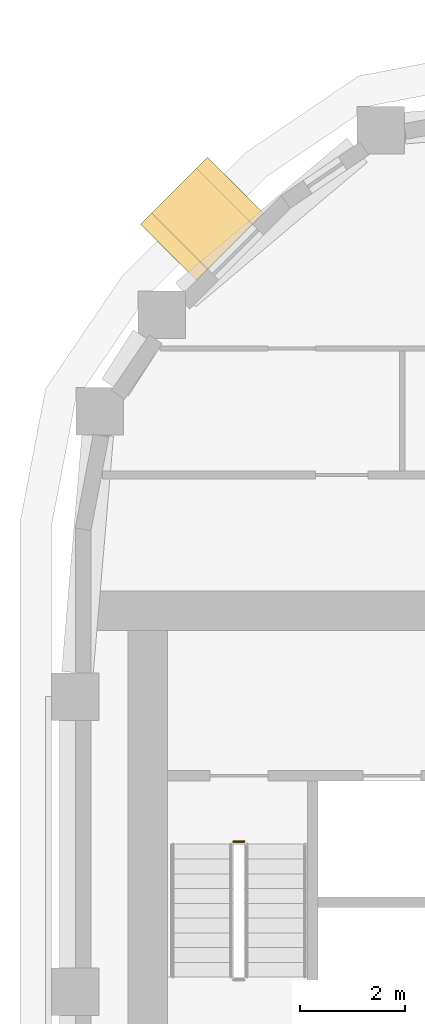
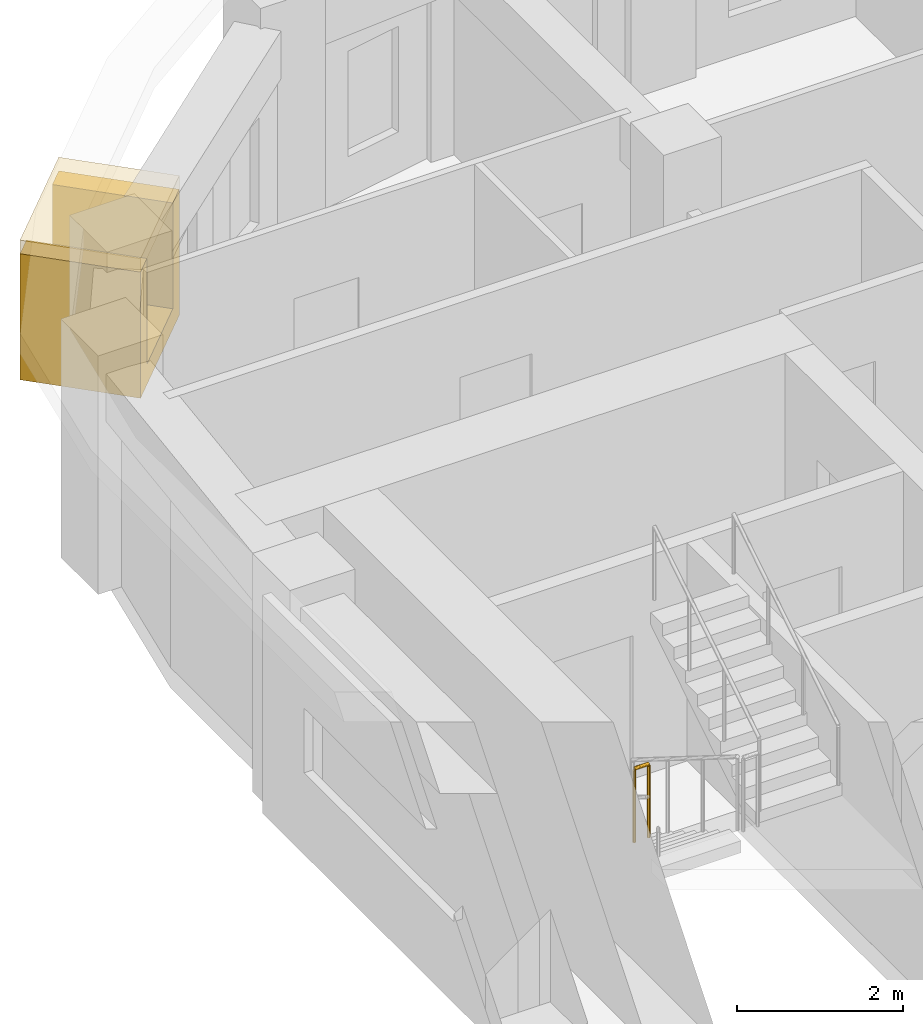
# One storey, part 19 of 21: 2 coverings, 1 railing.
"""IFC4 building model written with IfcOpenShell, lengths in metres."""

from ifc_helpers import new_model, si_unit, direction, frame, origin, origin_2d, place, context, subcontext, project, spatial, polyline, rectangle, circle, outline, extrude, material, layer, layer_set, type_object, element, save


model = new_model("IFC4")

# Units and contexts
model_context = context("Model", 3, precision=1e-05, world=origin(), true_north=direction((0.0, 1.0)))
body_context = subcontext(model_context, "Body", "Model", "MODEL_VIEW")
ifc_project = project(units=[si_unit("LENGTHUNIT", "METRE"), si_unit("AREAUNIT", "SQUARE_METRE"), si_unit("VOLUMEUNIT", "CUBIC_METRE"), si_unit("PLANEANGLEUNIT", "RADIAN"), si_unit("MASSUNIT", "GRAM", prefix="KILO")], contexts=[model_context])

# Site, building, storey
site_placement = place(None, origin())
site = spatial("IfcSite", under=ifc_project, at=site_placement, CompositionType="ELEMENT")
building_placement = place(site_placement, origin())
building = spatial("IfcBuilding", under=site, at=building_placement, Name="Kiln Ring Residences", CompositionType="ELEMENT")
storey_placement = place(building_placement, frame((0.0, 0.0, 192.39990234375)))
storey = spatial("IfcBuildingStorey", under=building, at=storey_placement, Name="L49", CompositionType="ELEMENT", Elevation=192.39990234375)

# Railing
ifc_material_1 = material(Name="Stainless steel", Category="steel")
railing_type = type_object("IfcRailingType", Name="CORE-STAIR-GUARD", PredefinedType="GUARDRAIL", material=ifc_material_1)
railing_placement = place(storey_placement, frame((-22.199951171875, 8.449951171875, 0.0)))
element("IfcRailing", 1, at=railing_placement, inside=storey, type_object=railing_type, Name="L49 W-STN stair guard 4", PredefinedType="GUARDRAIL", context=body_context, shape_type="SweptSolid", body=[
    extrude(circle(Radius=0.02392578125, at=origin_2d()), frame((0.0, 0.0, 1.076171875), z_axis=(1.0, 0.0, 0.0), x_axis=(0.0, 1.0, 0.0)), (0.0, 0.0, 1.0), 0.199951171875),
    extrude(circle(Radius=0.02099609375, at=origin_2d()), origin(), (0.0, 0.0, 1.0), 1.052001953125),
    extrude(circle(Radius=0.02099609375, at=origin_2d()), frame((0.199951171875, 0.0, 0.0)), (0.0, 0.0, 1.0), 1.052001953125),
])

# Coverings
ifc_material_2 = material(Name="Brick masonry, dark clay brick", Category="masonry")
ifc_layer_1 = layer(ifc_material_2, 0.300048828125)
ifc_layer_set_1 = layer_set([ifc_layer_1], Name="FRAME CHEEKS AND SILL 1500")
covering_type_1 = type_object("IfcCoveringType", Name="FRAME CHEEKS AND SILL 1500", PredefinedType="CLADDING", material=ifc_layer_set_1)
covering_1_placement = place(storey_placement, frame((-22.163330078125, 20.8974609375, 0.300048828125), z_axis=(0.0, 0.0, 1.0), x_axis=(-0.707038962956, -0.707174592913, 0.0)))
element("IfcCovering", 2, at=covering_1_placement, inside=storey, type_object=covering_type_1, Name="FRAME L49", PredefinedType="CLADDING", context=body_context, shape_type="SweptSolid", body=[
    extrude(outline(polyline([(0.0, 0.0), (1.800048828125, 0.0), (1.800048828125, 1.85009765625), (1.5009765625, 1.85009765625), (1.5, 0.300048828125), (0.300048828125, 0.300048828125), (0.299072265625, 1.85009765625), (0.0, 1.85009765625), (0.0, 0.0)])), frame((0.0, 0.75, 0.0), z_axis=(0.0, -1.0, 0.0), x_axis=(1.0, 0.0, 0.0)), (0.0, 0.0, 1.0), 1.5),
])
ifc_material_3 = material(Name="Brick masonry, dark clay brick", Category="masonry")
ifc_layer_2 = layer(ifc_material_3, 0.199951171875)
ifc_layer_set_2 = layer_set([ifc_layer_2], Name="FRAME HEAD 1500")
covering_type_2 = type_object("IfcCoveringType", Name="FRAME HEAD 1500", PredefinedType="CLADDING", material=ifc_layer_set_2)
covering_2_placement = place(storey_placement, frame((-22.799560546875, 20.260986328125, 2.14990234375), z_axis=(0.0, 0.0, 1.0), x_axis=(-0.707106781187, -0.707106781187, 0.0)))
element("IfcCovering", 3, at=covering_2_placement, inside=storey, type_object=covering_type_2, Name="FRAME HEAD L49", PredefinedType="CLADDING", context=body_context, shape_type="SweptSolid", body=[
    extrude(rectangle(XDim=1.800048828125, YDim=1.5, at=origin_2d()), origin(), (0.0, 0.0, 1.0), 0.199951171875),
])

save(model, "model.ifc")
